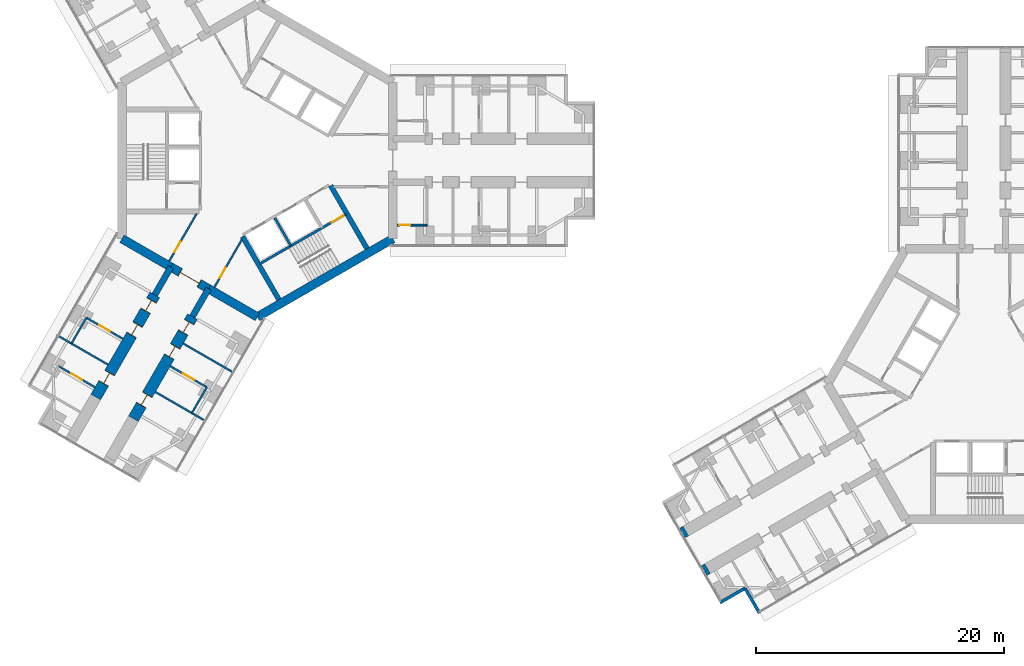
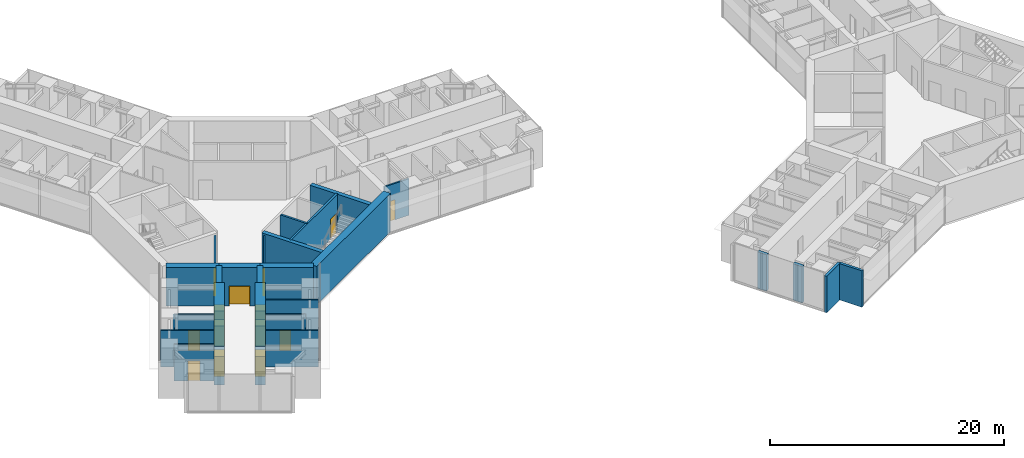
# One storey, part 16 of 24: 27 walls, 14 doors, 14 openings.
"""IFC4 building model written with IfcOpenShell, lengths in metres."""

from ifc_helpers import new_model, si_unit, direction, frame, frame_2d, origin, place, context, subcontext, project, spatial, rectangle, extrude, material, layer, layer_set, type_object, element, fill, save


model = new_model("IFC4")

# Units and contexts
model_context = context("Model", 3, precision=1e-05, world=origin(), true_north=direction((0.0, 1.0)))
body_context = subcontext(model_context, "Body", "Model", "MODEL_VIEW")
ifc_project = project(units=[si_unit("LENGTHUNIT", "METRE"), si_unit("AREAUNIT", "SQUARE_METRE"), si_unit("VOLUMEUNIT", "CUBIC_METRE"), si_unit("PLANEANGLEUNIT", "RADIAN"), si_unit("MASSUNIT", "GRAM", prefix="KILO")], contexts=[model_context])

# Site, building, storey
site_placement = place(None, origin())
site = spatial("IfcSite", under=ifc_project, at=site_placement, CompositionType="ELEMENT")
building_placement = place(site_placement, origin())
building = spatial("IfcBuilding", under=site, at=building_placement, Name="Upepo Twin Towers", CompositionType="ELEMENT")
storey_placement = place(building_placement, frame((0.0, 0.0, 64.5)))
storey = spatial("IfcBuildingStorey", under=building, at=storey_placement, Name="L15", CompositionType="ELEMENT", Elevation=64.5)

# Walls
ifc_material_1 = material(Name="Dense concrete blockwork", Category="masonry")
ifc_layer_1 = layer(ifc_material_1, 0.89990234375)
ifc_layer_set_1 = layer_set([ifc_layer_1], Name="Buttress closer 900, blockwork with fire-stopping to the curtain wall")
wall_type_1 = type_object("IfcWallType", Name="Buttress closer 900, blockwork with fire-stopping to the curtain wall", PredefinedType="PARTITIONING", material=ifc_layer_set_1)
for number, where, z_axis, x_axis, name in (
    (1, (36.252197265625, -32.865478515625, 0.0), (0.0, 0.0, 1.0), (-0.866054481515, -0.499949632511, 0.0), "T2 L15 wing B buttress closer L"),
    (2, (34.502197265625, -29.83447265625, 0.0), (0.0, 0.0, 1.0), (-0.866054481515, -0.499949632511, 0.0), "T2 L15 wing B buttress closer R"),
):
    element("IfcWall", number, at=place(storey_placement, frame(where, z_axis=z_axis, x_axis=x_axis)), inside=storey, type_object=wall_type_1, Name=name, PredefinedType="PARTITIONING", context=body_context, shape_type="SweptSolid", body=[
        extrude(rectangle(XDim=0.31005859375, YDim=0.89990234375, at=frame_2d((0.155029296875, 0.0))), origin(), (0.0, 0.0, 1.0), 3.800048828125),
    ])
ifc_material_2 = material(Name="Concrete C60/75", Category="concrete")
ifc_layer_2 = layer(ifc_material_2, 0.5)
ifc_layer_set_2 = layer_set([ifc_layer_2], Name="Concrete C60/75")
wall_type_2 = type_object("IfcWallType", Name="Buttress wall 500 RC", PredefinedType="SHEAR", material=ifc_layer_set_2)
for number, where, z_axis, x_axis, name in (
    (3, (-3.938720703125, -10.32177734375, 0.0), (0.0, 0.0, 1.0), (-0.499918158782, -0.866072649678, 0.0), "T1 wing C buttress wall L"),
    (4, (-6.9697265625, -8.57177734375, 0.0), (0.0, 0.0, 1.0), (-0.499988811324, -0.866031863473, 0.0), "T1 wing C buttress wall R"),
):
    element("IfcWall", number, at=place(storey_placement, frame(where, z_axis=z_axis, x_axis=x_axis)), inside=storey, type_object=wall_type_2, Name=name, PredefinedType="SHEAR", context=body_context, shape_type="SweptSolid", body=[
        extrude(rectangle(XDim=2.591796875, YDim=0.5, at=frame_2d((1.2958984375, 0.0))), origin(), (0.0, 0.0, 1.0), 4.0),
    ])

# Wall, openings, doors
ifc_material_3 = material(Name="Concrete C60/75", Category="concrete")
ifc_layer_3 = layer(ifc_material_3, 0.89990234375)
ifc_layer_set_3 = layer_set([ifc_layer_3], Name="Concrete C60/75")
wall_type_3 = type_object("IfcWallType", Name="Buttress wall 900 RC", PredefinedType="SHEAR", material=ifc_layer_set_3)
wall_1_placement = place(storey_placement, frame((-5.234375, -12.56640625, 0.0), z_axis=(0.0, 0.0, 1.0), x_axis=(-0.499997557548, -0.86602681393, 0.0)))
wall_1 = element("IfcWall", 5, at=wall_1_placement, inside=storey, type_object=wall_type_3, Name="T1 wing C buttress wall L part 2", PredefinedType="SHEAR", context=body_context, shape_type="SweptSolid", body=[
    extrude(rectangle(XDim=9.5, YDim=0.89990234375, at=frame_2d((4.75, 0.0))), origin(), (0.0, 0.0, 1.0), 4.0),
])
opening_1_placement = place(wall_1_placement, frame((0.5, 0.0, 0.0)))
opening_1 = element("IfcOpeningElement", 6, at=opening_1_placement, cuts=wall_1, Name="Opening D1", PredefinedType="OPENING", context=body_context, shape_type="SweptSolid", body=[
    extrude(rectangle(XDim=1.0, YDim=2.10009765625, at=frame_2d((0.5, 1.050048828125))), frame((0.0, 0.4599609375, 0.0), z_axis=(0.0, -1.0, 0.0), x_axis=(1.0, 0.0, 0.0)), (0.0, 0.0, 1.0), 0.919921875),
])
opening_2_placement = place(wall_1_placement, frame((2.75, 0.0, 0.0)))
opening_2 = element("IfcOpeningElement", 7, at=opening_2_placement, cuts=wall_1, Name="Opening D1", PredefinedType="OPENING", context=body_context, shape_type="SweptSolid", body=[
    extrude(rectangle(XDim=1.0, YDim=2.10009765625, at=frame_2d((0.5, 1.050048828125))), frame((0.0, 0.4599609375, 0.0), z_axis=(0.0, -1.0, 0.0), x_axis=(1.0, 0.0, 0.0)), (0.0, 0.0, 1.0), 0.919921875),
])
opening_3_placement = place(wall_1_placement, frame((7.25, 0.0, 0.0)))
opening_3 = element("IfcOpeningElement", 8, at=opening_3_placement, cuts=wall_1, Name="Opening D1", PredefinedType="OPENING", context=body_context, shape_type="SweptSolid", body=[
    extrude(rectangle(XDim=1.0, YDim=2.10009765625, at=frame_2d((0.5, 1.050048828125))), frame((0.0, 0.4599609375, 0.0), z_axis=(0.0, -1.0, 0.0), x_axis=(1.0, 0.0, 0.0)), (0.0, 0.0, 1.0), 0.919921875),
])
ifc_material_4 = material(Name="Timber doorset", Category="wood")
door_type_1 = type_object("IfcDoorType", Name="Room door 1000 FD30", OperationType="SINGLE_SWING_LEFT", PredefinedType="DOOR", material=ifc_material_4)
door_1_placement = place(opening_1_placement, origin())
door_1 = element("IfcDoor", 9, at=door_1_placement, inside=storey, type_object=door_type_1, Name="T1 L15 tutorial room door", OperationType="SINGLE_SWING_LEFT", OverallHeight=2.10009765625, OverallWidth=1.0, PredefinedType="DOOR", context=body_context, shape_type="SweptSolid", body=[
    extrude(rectangle(XDim=0.92, YDim=2.06009765625, at=frame_2d((0.5, 1.030029296875))), frame((0.0, 0.02490234375, 0.0), z_axis=(0.0, -1.0, 0.0), x_axis=(1.0, 0.0, 0.0)), (0.0, 0.0, 1.0), 0.050048828125),
    extrude(rectangle(XDim=0.04, YDim=2.10009765625, at=frame_2d((0.02001953125, 1.050048828125))), frame((0.0, 0.44970703125, 0.0), z_axis=(0.0, -1.0, 0.0), x_axis=(1.0, 0.0, 0.0)), (0.0, 0.0, 1.0), 0.8994140625),
    extrude(rectangle(XDim=0.04, YDim=2.10009765625, at=frame_2d((0.97998046875, 1.050048828125))), frame((0.0, 0.44970703125, 0.0), z_axis=(0.0, -1.0, 0.0), x_axis=(1.0, 0.0, 0.0)), (0.0, 0.0, 1.0), 0.8994140625),
    extrude(rectangle(XDim=0.92, YDim=0.04, at=frame_2d((0.5, 2.080078125))), frame((0.0, 0.44970703125, 0.0), z_axis=(0.0, -1.0, 0.0), x_axis=(1.0, 0.0, 0.0)), (0.0, 0.0, 1.0), 0.8994140625),
])
fill(opening_1, door_1)
door_2_placement = place(opening_2_placement, origin())
door_2 = element("IfcDoor", 10, at=door_2_placement, inside=storey, type_object=door_type_1, Name="T1 L15 computing laboratory door", OperationType="SINGLE_SWING_LEFT", OverallHeight=2.10009765625, OverallWidth=1.0, PredefinedType="DOOR", context=body_context, shape_type="SweptSolid", body=[
    extrude(rectangle(XDim=0.92, YDim=2.06009765625, at=frame_2d((0.5, 1.030029296875))), frame((0.0, 0.02490234375, 0.0), z_axis=(0.0, -1.0, 0.0), x_axis=(1.0, 0.0, 0.0)), (0.0, 0.0, 1.0), 0.050048828125),
    extrude(rectangle(XDim=0.04, YDim=2.10009765625, at=frame_2d((0.02001953125, 1.050048828125))), frame((0.0, 0.44970703125, 0.0), z_axis=(0.0, -1.0, 0.0), x_axis=(1.0, 0.0, 0.0)), (0.0, 0.0, 1.0), 0.8994140625),
    extrude(rectangle(XDim=0.04, YDim=2.10009765625, at=frame_2d((0.97998046875, 1.050048828125))), frame((0.0, 0.44970703125, 0.0), z_axis=(0.0, -1.0, 0.0), x_axis=(1.0, 0.0, 0.0)), (0.0, 0.0, 1.0), 0.8994140625),
    extrude(rectangle(XDim=0.92, YDim=0.04, at=frame_2d((0.5, 2.080078125))), frame((0.0, 0.44970703125, 0.0), z_axis=(0.0, -1.0, 0.0), x_axis=(1.0, 0.0, 0.0)), (0.0, 0.0, 1.0), 0.8994140625),
])
fill(opening_2, door_2)
door_3_placement = place(opening_3_placement, origin())
door_3 = element("IfcDoor", 11, at=door_3_placement, inside=storey, type_object=door_type_1, Name="T1 L15 seminar room door", OperationType="SINGLE_SWING_RIGHT", OverallHeight=2.10009765625, OverallWidth=1.0, PredefinedType="DOOR", context=body_context, shape_type="SweptSolid", body=[
    extrude(rectangle(XDim=0.92, YDim=2.06009765625, at=frame_2d((0.5, 1.030029296875))), frame((0.0, 0.02490234375, 0.0), z_axis=(0.0, -1.0, 0.0), x_axis=(1.0, 0.0, 0.0)), (0.0, 0.0, 1.0), 0.050048828125),
    extrude(rectangle(XDim=0.04, YDim=2.10009765625, at=frame_2d((0.02001953125, 1.050048828125))), frame((0.0, 0.44970703125, 0.0), z_axis=(0.0, -1.0, 0.0), x_axis=(1.0, 0.0, 0.0)), (0.0, 0.0, 1.0), 0.8994140625),
    extrude(rectangle(XDim=0.04, YDim=2.10009765625, at=frame_2d((0.97998046875, 1.050048828125))), frame((0.0, 0.44970703125, 0.0), z_axis=(0.0, -1.0, 0.0), x_axis=(1.0, 0.0, 0.0)), (0.0, 0.0, 1.0), 0.8994140625),
    extrude(rectangle(XDim=0.92, YDim=0.04, at=frame_2d((0.5, 2.080078125))), frame((0.0, 0.44970703125, 0.0), z_axis=(0.0, -1.0, 0.0), x_axis=(1.0, 0.0, 0.0)), (0.0, 0.0, 1.0), 0.8994140625),
])
fill(opening_3, door_3)

wall_2_placement = place(storey_placement, frame((-8.265625, -10.81640625, 0.0), z_axis=(0.0, 0.0, 1.0), x_axis=(-0.499997557548, -0.86602681393, 0.0)))
wall_2 = element("IfcWall", 12, at=wall_2_placement, inside=storey, type_object=wall_type_3, Name="T1 wing C buttress wall R part 2", PredefinedType="SHEAR", context=body_context, shape_type="SweptSolid", body=[
    extrude(rectangle(XDim=9.5, YDim=0.89990234375, at=frame_2d((4.75, 0.0))), origin(), (0.0, 0.0, 1.0), 4.0),
])
opening_4_placement = place(wall_2_placement, frame((0.5, 0.0, 0.0)))
opening_4 = element("IfcOpeningElement", 13, at=opening_4_placement, cuts=wall_2, Name="Opening D1", PredefinedType="OPENING", context=body_context, shape_type="SweptSolid", body=[
    extrude(rectangle(XDim=1.0, YDim=2.10009765625, at=frame_2d((0.5, 1.050048828125))), frame((0.0, 0.4599609375, 0.0), z_axis=(0.0, -1.0, 0.0), x_axis=(1.0, 0.0, 0.0)), (0.0, 0.0, 1.0), 0.919921875),
])
opening_5_placement = place(wall_2_placement, frame((2.75, 0.0, 0.0)))
opening_5 = element("IfcOpeningElement", 14, at=opening_5_placement, cuts=wall_2, Name="Opening D1", PredefinedType="OPENING", context=body_context, shape_type="SweptSolid", body=[
    extrude(rectangle(XDim=1.0, YDim=2.10009765625, at=frame_2d((0.5, 1.050048828125))), frame((0.0, 0.4599609375, 0.0), z_axis=(0.0, -1.0, 0.0), x_axis=(1.0, 0.0, 0.0)), (0.0, 0.0, 1.0), 0.919921875),
])
opening_6_placement = place(wall_2_placement, frame((7.25, 0.0, 0.0)))
opening_6 = element("IfcOpeningElement", 15, at=opening_6_placement, cuts=wall_2, Name="Opening D1", PredefinedType="OPENING", context=body_context, shape_type="SweptSolid", body=[
    extrude(rectangle(XDim=1.0, YDim=2.10009765625, at=frame_2d((0.5, 1.050048828125))), frame((0.0, 0.4599609375, 0.0), z_axis=(0.0, -1.0, 0.0), x_axis=(1.0, 0.0, 0.0)), (0.0, 0.0, 1.0), 0.919921875),
])
door_4_placement = place(opening_4_placement, origin())
door_4 = element("IfcDoor", 16, at=door_4_placement, inside=storey, type_object=door_type_1, Name="T1 L15 teaching laboratory door", OperationType="SINGLE_SWING_LEFT", OverallHeight=2.10009765625, OverallWidth=1.0, PredefinedType="DOOR", context=body_context, shape_type="SweptSolid", body=[
    extrude(rectangle(XDim=0.92, YDim=2.06009765625, at=frame_2d((0.5, 1.030029296875))), frame((0.0, 0.02490234375, 0.0), z_axis=(0.0, -1.0, 0.0), x_axis=(1.0, 0.0, 0.0)), (0.0, 0.0, 1.0), 0.050048828125),
    extrude(rectangle(XDim=0.04, YDim=2.10009765625, at=frame_2d((0.02001953125, 1.050048828125))), frame((0.0, 0.44970703125, 0.0), z_axis=(0.0, -1.0, 0.0), x_axis=(1.0, 0.0, 0.0)), (0.0, 0.0, 1.0), 0.8994140625),
    extrude(rectangle(XDim=0.04, YDim=2.10009765625, at=frame_2d((0.97998046875, 1.050048828125))), frame((0.0, 0.44970703125, 0.0), z_axis=(0.0, -1.0, 0.0), x_axis=(1.0, 0.0, 0.0)), (0.0, 0.0, 1.0), 0.8994140625),
    extrude(rectangle(XDim=0.92, YDim=0.04, at=frame_2d((0.5, 2.080078125))), frame((0.0, 0.44970703125, 0.0), z_axis=(0.0, -1.0, 0.0), x_axis=(1.0, 0.0, 0.0)), (0.0, 0.0, 1.0), 0.8994140625),
])
fill(opening_4, door_4)
door_5_placement = place(opening_5_placement, origin())
door_5 = element("IfcDoor", 17, at=door_5_placement, inside=storey, type_object=door_type_1, Name="T1 L15 teaching laboratory door", OperationType="SINGLE_SWING_LEFT", OverallHeight=2.10009765625, OverallWidth=1.0, PredefinedType="DOOR", context=body_context, shape_type="SweptSolid", body=[
    extrude(rectangle(XDim=0.92, YDim=2.06009765625, at=frame_2d((0.5, 1.030029296875))), frame((0.0, 0.02490234375, 0.0), z_axis=(0.0, -1.0, 0.0), x_axis=(1.0, 0.0, 0.0)), (0.0, 0.0, 1.0), 0.050048828125),
    extrude(rectangle(XDim=0.04, YDim=2.10009765625, at=frame_2d((0.02001953125, 1.050048828125))), frame((0.0, 0.44970703125, 0.0), z_axis=(0.0, -1.0, 0.0), x_axis=(1.0, 0.0, 0.0)), (0.0, 0.0, 1.0), 0.8994140625),
    extrude(rectangle(XDim=0.04, YDim=2.10009765625, at=frame_2d((0.97998046875, 1.050048828125))), frame((0.0, 0.44970703125, 0.0), z_axis=(0.0, -1.0, 0.0), x_axis=(1.0, 0.0, 0.0)), (0.0, 0.0, 1.0), 0.8994140625),
    extrude(rectangle(XDim=0.92, YDim=0.04, at=frame_2d((0.5, 2.080078125))), frame((0.0, 0.44970703125, 0.0), z_axis=(0.0, -1.0, 0.0), x_axis=(1.0, 0.0, 0.0)), (0.0, 0.0, 1.0), 0.8994140625),
])
fill(opening_5, door_5)
door_6_placement = place(opening_6_placement, origin())
door_6 = element("IfcDoor", 18, at=door_6_placement, inside=storey, type_object=door_type_1, Name="T1 L15 staff office door", OperationType="SINGLE_SWING_RIGHT", OverallHeight=2.10009765625, OverallWidth=1.0, PredefinedType="DOOR", context=body_context, shape_type="SweptSolid", body=[
    extrude(rectangle(XDim=0.92, YDim=2.06009765625, at=frame_2d((0.5, 1.030029296875))), frame((0.0, 0.02490234375, 0.0), z_axis=(0.0, -1.0, 0.0), x_axis=(1.0, 0.0, 0.0)), (0.0, 0.0, 1.0), 0.050048828125),
    extrude(rectangle(XDim=0.04, YDim=2.10009765625, at=frame_2d((0.02001953125, 1.050048828125))), frame((0.0, 0.44970703125, 0.0), z_axis=(0.0, -1.0, 0.0), x_axis=(1.0, 0.0, 0.0)), (0.0, 0.0, 1.0), 0.8994140625),
    extrude(rectangle(XDim=0.04, YDim=2.10009765625, at=frame_2d((0.97998046875, 1.050048828125))), frame((0.0, 0.44970703125, 0.0), z_axis=(0.0, -1.0, 0.0), x_axis=(1.0, 0.0, 0.0)), (0.0, 0.0, 1.0), 0.8994140625),
    extrude(rectangle(XDim=0.92, YDim=0.04, at=frame_2d((0.5, 2.080078125))), frame((0.0, 0.44970703125, 0.0), z_axis=(0.0, -1.0, 0.0), x_axis=(1.0, 0.0, 0.0)), (0.0, 0.0, 1.0), 0.8994140625),
])
fill(opening_6, door_6)

# Wall
ifc_material_5 = material(Name="Concrete C60/75", Category="concrete")
ifc_layer_4 = layer(ifc_material_5, 0.699951171875)
ifc_layer_set_4 = layer_set([ifc_layer_4], Name="Concrete C60/75")
wall_type_4 = type_object("IfcWallType", Name="Core wall 700 RC", PredefinedType="SHEAR", material=ifc_layer_set_4)
wall_3_placement = place(storey_placement, frame((-10.908447265625, -6.2978515625, 0.0), z_axis=(0.0, 0.0, 1.0), x_axis=(0.866034513004, -0.499984222037, 0.0)))
element("IfcWall", 19, at=wall_3_placement, inside=storey, type_object=wall_type_4, Name="T1 core wall 240 R", PredefinedType="SHEAR", context=body_context, shape_type="SweptSolid", body=[
    extrude(rectangle(XDim=4.548095703125, YDim=0.699951171875, at=frame_2d((2.27392578125, 0.0))), origin(), (0.0, 0.0, 1.0), 4.0),
])

# Wall, opening, door
wall_4_placement = place(storey_placement, frame((-6.9697265625, -8.57177734375, 0.0), z_axis=(0.0, 0.0, 1.0), x_axis=(0.866019471182, -0.500010275428, 0.0)))
wall_4 = element("IfcWall", 20, at=wall_4_placement, inside=storey, type_object=wall_type_4, Name="T1 core wall 240", PredefinedType="SHEAR", context=body_context, shape_type="SweptSolid", body=[
    extrude(rectangle(XDim=3.5, YDim=0.699951171875, at=frame_2d((1.75, 0.0))), origin(), (0.0, 0.0, 1.0), 4.0),
])
opening_7_placement = place(wall_4_placement, frame((0.85009765625, 0.0, 0.0)))
opening_7 = element("IfcOpeningElement", 21, at=opening_7_placement, cuts=wall_4, Name="Opening D2", PredefinedType="OPENING", context=body_context, shape_type="SweptSolid", body=[
    extrude(rectangle(XDim=1.800048828125, YDim=2.10009765625, at=frame_2d((0.89990234375, 1.050048828125))), frame((0.0, 0.35986328125, 0.0), z_axis=(0.0, -1.0, 0.0), x_axis=(1.0, 0.0, 0.0)), (0.0, 0.0, 1.0), 0.719970703125),
])
ifc_material_6 = material(Name="Timber doorset", Category="wood")
door_type_2 = type_object("IfcDoorType", Name="Corridor double door 1800 FD60", OperationType="DOUBLE_DOOR_DOUBLE_SWING", PredefinedType="DOOR", material=ifc_material_6)
door_7_placement = place(opening_7_placement, origin())
door_7 = element("IfcDoor", 22, at=door_7_placement, inside=storey, type_object=door_type_2, Name="T1 L15 wing C corridor door", OperationType="DOUBLE_DOOR_DOUBLE_SWING", OverallHeight=2.10009765625, OverallWidth=1.800048828125, PredefinedType="DOOR", context=body_context, shape_type="SweptSolid", body=[
    extrude(rectangle(XDim=1.720048828125, YDim=2.06009765625, at=frame_2d((0.89990234375, 1.030029296875))), frame((0.0, 0.02490234375, 0.0), z_axis=(0.0, -1.0, 0.0), x_axis=(1.0, 0.0, 0.0)), (0.0, 0.0, 1.0), 0.050048828125),
    extrude(rectangle(XDim=0.04, YDim=2.10009765625, at=frame_2d((0.02001953125, 1.050048828125))), frame((0.0, 0.349609375, 0.0), z_axis=(0.0, -1.0, 0.0), x_axis=(1.0, 0.0, 0.0)), (0.0, 0.0, 1.0), 0.699462890625),
    extrude(rectangle(XDim=0.04, YDim=2.10009765625, at=frame_2d((1.780029296875, 1.050048828125))), frame((0.0, 0.349609375, 0.0), z_axis=(0.0, -1.0, 0.0), x_axis=(1.0, 0.0, 0.0)), (0.0, 0.0, 1.0), 0.699462890625),
    extrude(rectangle(XDim=1.720048828125, YDim=0.04, at=frame_2d((0.89990234375, 2.080078125))), frame((0.0, 0.349609375, 0.0), z_axis=(0.0, -1.0, 0.0), x_axis=(1.0, 0.0, 0.0)), (0.0, 0.0, 1.0), 0.699462890625),
])
fill(opening_7, door_7)

# Walls
wall_5_placement = place(storey_placement, frame((-3.938720703125, -10.32177734375, 0.0), z_axis=(0.0, 0.0, 1.0), x_axis=(0.866011268655, -0.500024481964, 0.0)))
element("IfcWall", 23, at=wall_5_placement, inside=storey, type_object=wall_type_4, Name="T1 core wall 240 L", PredefinedType="SHEAR", context=body_context, shape_type="SweptSolid", body=[
    extrude(rectangle(XDim=4.548095703125, YDim=0.699951171875, at=frame_2d((2.27392578125, 0.0))), origin(), (0.0, 0.0, 1.0), 4.0),
])
wall_6_placement = place(storey_placement, frame((0.0, -12.595947265625, 0.0), z_axis=(0.0, 0.0, 1.0), x_axis=(0.866021940709, 0.500005998175, 0.0)))
element("IfcWall", 24, at=wall_6_placement, inside=storey, type_object=wall_type_4, Name="T1 core wall 300", PredefinedType="SHEAR", context=body_context, shape_type="SweptSolid", body=[
    extrude(rectangle(XDim=12.595947265625, YDim=0.699951171875, at=frame_2d((6.2978515625, 0.0))), origin(), (0.0, 0.0, 1.0), 4.0),
])
ifc_material_7 = material(Name="Blockwork with anodised aluminium cladding", Category="masonry")
ifc_layer_5 = layer(ifc_material_7, 0.25)
ifc_layer_set_5 = layer_set([ifc_layer_5], Name="Notch cladding wall 250, pale metal")
wall_type_5 = type_object("IfcWallType", Name="Notch cladding wall 250, pale metal", PredefinedType="STANDARD", material=ifc_layer_set_5)
for number, where, z_axis, x_axis, name in (
    (25, (40.4326171875, -36.456298828125, 0.0), (0.0, 0.0, 1.0), (-0.500046648681, 0.865998469481, 0.0), "T2 L15 wing B notch wall L1"),
    (26, (39.27001953125, -34.44287109375, 0.0), (0.0, 0.0, 1.0), (-0.865998469481, -0.500046648681, 0.0), "T2 L15 wing B notch wall L2"),
):
    element("IfcWall", number, at=place(storey_placement, frame(where, z_axis=z_axis, x_axis=x_axis)), inside=storey, type_object=wall_type_5, Name=name, PredefinedType="STANDARD", context=body_context, shape_type="SweptSolid", body=[
        extrude(rectangle(XDim=2.324951171875, YDim=0.25, at=frame_2d((1.16259765625, 0.0))), origin(), (0.0, 0.0, 1.0), 3.800048828125),
    ])
ifc_material_8 = material(Name="Concrete C40/50", Category="concrete")
ifc_layer_6 = layer(ifc_material_8, 0.199951171875)
ifc_layer_set_6 = layer_set([ifc_layer_6], Name="Concrete C40/50")
wall_type_6 = type_object("IfcWallType", Name="Shaft wall 200 RC", PredefinedType="SHEAR", material=ifc_layer_set_6)
wall_7_placement = place(storey_placement, frame((1.3974609375, -4.620361328125, 0.0), z_axis=(0.0, 0.0, 1.0), x_axis=(0.499936506574, -0.866062058628, 0.0)))
element("IfcWall", 27, at=wall_7_placement, inside=storey, type_object=wall_type_6, Name="T1 core W300 shaft divider", PredefinedType="SHEAR", context=body_context, shape_type="SweptSolid", body=[
    extrude(rectangle(XDim=2.599853515625, YDim=0.199951171875, at=frame_2d((1.2998046875, 0.0))), origin(), (0.0, 0.0, 1.0), 4.0),
])

# Wall, opening, door
wall_8_placement = place(storey_placement, frame((0.185791015625, -8.322021484375, 0.0), z_axis=(0.0, 0.0, 1.0), x_axis=(0.866026010844, 0.49999894854, 0.0)))
wall_8 = element("IfcWall", 28, at=wall_8_placement, inside=storey, type_object=wall_type_6, Name="T1 core W300 stair wall", PredefinedType="SHEAR", context=body_context, shape_type="SweptSolid", body=[
    extrude(rectangle(XDim=8.0, YDim=0.199951171875, at=frame_2d((4.0, 0.0))), origin(), (0.0, 0.0, 1.0), 4.0),
])
opening_8_placement = place(wall_8_placement, frame((6.699951171875, 0.0, 0.0)))
opening_8 = element("IfcOpeningElement", 29, at=opening_8_placement, cuts=wall_8, Name="Opening D3", PredefinedType="OPENING", context=body_context, shape_type="SweptSolid", body=[
    extrude(rectangle(XDim=1.10009765625, YDim=2.10009765625, at=frame_2d((0.550048828125, 1.050048828125))), frame((0.0, 0.10986328125, 0.0), z_axis=(0.0, -1.0, 0.0), x_axis=(1.0, 0.0, 0.0)), (0.0, 0.0, 1.0), 0.219970703125),
])
ifc_material_9 = material(Name="Timber doorset", Category="wood")
door_type_3 = type_object("IfcDoorType", Name="Stair door 1100 FD60", OperationType="SINGLE_SWING_LEFT", PredefinedType="DOOR", material=ifc_material_9)
door_8_placement = place(opening_8_placement, origin())
door_8 = element("IfcDoor", 30, at=door_8_placement, inside=storey, type_object=door_type_3, Name="T1 L15 stair door", OperationType="SINGLE_SWING_RIGHT", OverallHeight=2.10009765625, OverallWidth=1.10009765625, PredefinedType="DOOR", context=body_context, shape_type="SweptSolid", body=[
    extrude(rectangle(XDim=1.10009765625, YDim=2.10009765625, at=frame_2d((0.550048828125, 1.050048828125))), frame((0.0, 0.02490234375, 0.0), z_axis=(0.0, -1.0, 0.0), x_axis=(1.0, 0.0, 0.0)), (0.0, 0.0, 1.0), 0.050048828125),
])
fill(opening_8, door_8)

# Walls
ifc_material_10 = material(Name="Concrete C40/50", Category="concrete")
ifc_layer_7 = layer(ifc_material_10, 0.39990234375)
ifc_layer_set_7 = layer_set([ifc_layer_7], Name="Concrete C40/50")
wall_type_7 = type_object("IfcWallType", Name="Shaft wall 400 RC", PredefinedType="SHEAR", material=ifc_layer_set_7)
for number, where, z_axis, x_axis, name in (
    (31, (5.900634765625, -2.020263671875, 0.0), (0.0, 0.0, 1.0), (0.500002627198, -0.866023886965, 0.0), "T1 core W300 side wall N"),
    (32, (-1.20068359375, -6.120361328125, 0.0), (0.0, 0.0, 1.0), (0.500002627198, -0.866023886965, 0.0), "T1 core W300 side wall S"),
):
    element("IfcWall", number, at=place(storey_placement, frame(where, z_axis=z_axis, x_axis=x_axis)), inside=storey, type_object=wall_type_7, Name=name, PredefinedType="SHEAR", context=body_context, shape_type="SweptSolid", body=[
        extrude(rectangle(XDim=5.8583984375, YDim=0.39990234375, at=frame_2d((2.92919921875, 0.0))), origin(), (0.0, 0.0, 1.0), 4.0),
    ])

# Wall, opening, door
ifc_material_11 = material(Name="Gypsum board on steel studs", Category="steel")
ifc_layer_8 = layer(ifc_material_11, 0.14990234375)
ifc_layer_set_8 = layer_set([ifc_layer_8], Name="Teaching partition 150 acoustic")
wall_type_8 = type_object("IfcWallType", Name="Teaching partition 150 acoustic", PredefinedType="PARTITIONING", material=ifc_layer_set_8)
wall_9_placement = place(storey_placement, frame((11.258056640625, -5.199951171875, 0.0), z_axis=(0.0, 0.0, 1.0), x_axis=(1.0, 0.0, 0.0)))
wall_9 = element("IfcWall", 33, at=wall_9_placement, inside=storey, type_object=wall_type_8, Name="T1 WC bay partition AR at 11.26", PredefinedType="PARTITIONING", context=body_context, shape_type="SweptSolid", body=[
    extrude(rectangle(XDim=2.39990234375, YDim=0.14990234375, at=frame_2d((1.199951171875, 0.0))), origin(), (0.0, 0.0, 1.0), 3.800048828125),
])
opening_9_placement = place(wall_9_placement, frame((0.14990234375, 0.0, 0.0)))
opening_9 = element("IfcOpeningElement", 34, at=opening_9_placement, cuts=wall_9, Name="Opening D14", PredefinedType="OPENING", context=body_context, shape_type="SweptSolid", body=[
    extrude(rectangle(XDim=0.89990234375, YDim=2.10009765625, at=frame_2d((0.449951171875, 1.050048828125))), frame((0.0, 0.0849609375, 0.0), z_axis=(0.0, -1.0, 0.0), x_axis=(1.0, 0.0, 0.0)), (0.0, 0.0, 1.0), 0.169921875),
])
ifc_material_12 = material(Name="Timber doorset", Category="wood")
door_type_4 = type_object("IfcDoorType", Name="Office door 900 FD30", OperationType="SINGLE_SWING_LEFT", PredefinedType="DOOR", material=ifc_material_12)
door_9_placement = place(opening_9_placement, origin())
door_9 = element("IfcDoor", 35, at=door_9_placement, inside=storey, type_object=door_type_4, Name="T1 L15 WC bay inner room door", OperationType="SINGLE_SWING_LEFT", OverallHeight=2.10009765625, OverallWidth=0.89990234375, PredefinedType="DOOR", context=body_context, shape_type="SweptSolid", body=[
    extrude(rectangle(XDim=0.89990234375, YDim=2.10009765625, at=frame_2d((0.449951171875, 1.050048828125))), frame((0.0, 0.02490234375, 0.0), z_axis=(0.0, -1.0, 0.0), x_axis=(1.0, 0.0, 0.0)), (0.0, 0.0, 1.0), 0.050048828125),
])
fill(opening_9, door_9)

# Walls
for number, where, z_axis, x_axis, name in (
    (36, (-5.9697265625, -14.739990234375, 0.0), (0.0, 0.0, 1.0), (0.866035472144, -0.499982560684, 0.0), "T1 partition CL at 15.75"),
    (37, (-8.2197265625, -18.636962890625, 0.0), (0.0, 0.0, 1.0), (0.866012237902, -0.500022803284, 0.0), "T1 partition CL at 20.25"),
):
    element("IfcWall", number, at=place(storey_placement, frame(where, z_axis=z_axis, x_axis=x_axis)), inside=storey, type_object=wall_type_8, Name=name, PredefinedType="PARTITIONING", context=body_context, shape_type="SweptSolid", body=[
        extrude(rectangle(XDim=4.550048828125, YDim=0.14990234375, at=frame_2d((2.27490234375, 0.0))), origin(), (0.0, 0.0, 1.0), 3.800048828125),
    ])
wall_10_placement = place(storey_placement, frame((-4.0751953125, -18.258544921875, 0.0), z_axis=(0.0, 0.0, 1.0), x_axis=(-0.500001309137, -0.866024647952, 0.0)))
element("IfcWall", 38, at=wall_10_placement, inside=storey, type_object=wall_type_8, Name="T1 inner room partition CL at 17.85", PredefinedType="PARTITIONING", context=body_context, shape_type="SweptSolid", body=[
    extrude(rectangle(XDim=2.39990234375, YDim=0.14990234375, at=frame_2d((1.199951171875, 0.0))), origin(), (0.0, 0.0, 1.0), 3.800048828125),
])

# Wall, opening, door
wall_11_placement = place(storey_placement, frame((-7.019775390625, -16.55859375, 0.0), z_axis=(0.0, 0.0, 1.0), x_axis=(0.866038511948, -0.499977295307, 0.0)))
wall_11 = element("IfcWall", 39, at=wall_11_placement, inside=storey, type_object=wall_type_8, Name="T1 inner room partition CL end at 17.85", PredefinedType="PARTITIONING", context=body_context, shape_type="SweptSolid", body=[
    extrude(rectangle(XDim=3.400146484375, YDim=0.14990234375, at=frame_2d((1.7001953125, 0.0))), origin(), (0.0, 0.0, 1.0), 3.800048828125),
])
opening_10_placement = place(wall_11_placement, frame((1.199951171875, 0.0, 0.0)))
opening_10 = element("IfcOpeningElement", 40, at=opening_10_placement, cuts=wall_11, Name="Opening D1", PredefinedType="OPENING", context=body_context, shape_type="SweptSolid", body=[
    extrude(rectangle(XDim=1.0, YDim=2.10009765625, at=frame_2d((0.5, 1.050048828125))), frame((0.0, 0.0849609375, 0.0), z_axis=(0.0, -1.0, 0.0), x_axis=(1.0, 0.0, 0.0)), (0.0, 0.0, 1.0), 0.169921875),
])
door_10_placement = place(opening_10_placement, origin())
door_10 = element("IfcDoor", 41, at=door_10_placement, inside=storey, type_object=door_type_1, Name="T1 L15 inner room door", OperationType="SINGLE_SWING_LEFT", OverallHeight=2.10009765625, OverallWidth=1.0, PredefinedType="DOOR", context=body_context, shape_type="SweptSolid", body=[
    extrude(rectangle(XDim=1.0, YDim=2.10009765625, at=frame_2d((0.5, 1.050048828125))), frame((0.0, 0.02490234375, 0.0), z_axis=(0.0, -1.0, 0.0), x_axis=(1.0, 0.0, 0.0)), (0.0, 0.0, 1.0), 0.050048828125),
])
fill(opening_10, door_10)

# Walls
wall_12_placement = place(storey_placement, frame((-12.0302734375, -16.43701171875, 0.0), z_axis=(0.0, 0.0, 1.0), x_axis=(-0.866035472144, 0.499982560684, 0.0)))
element("IfcWall", 42, at=wall_12_placement, inside=storey, type_object=wall_type_8, Name="T1 partition CR at 20.25", PredefinedType="PARTITIONING", context=body_context, shape_type="SweptSolid", body=[
    extrude(rectangle(XDim=4.550048828125, YDim=0.14990234375, at=frame_2d((2.27490234375, 0.0))), origin(), (0.0, 0.0, 1.0), 3.800048828125),
])
wall_13_placement = place(storey_placement, frame((-13.774658203125, -12.658447265625, 0.0), z_axis=(0.0, 0.0, 1.0), x_axis=(-0.500033551112, -0.866006032174, 0.0)))
element("IfcWall", 43, at=wall_13_placement, inside=storey, type_object=wall_type_8, Name="T1 inner room partition CR at 17.85", PredefinedType="PARTITIONING", context=body_context, shape_type="SweptSolid", body=[
    extrude(rectangle(XDim=2.400146484375, YDim=0.14990234375, at=frame_2d((1.2001953125, 0.0))), origin(), (0.0, 0.0, 1.0), 3.800048828125),
])

# Wall, opening, door
wall_14_placement = place(storey_placement, frame((-10.830322265625, -14.358642578125, 0.0), z_axis=(0.0, 0.0, 1.0), x_axis=(-0.865989465428, 0.500062241894, 0.0)))
wall_14 = element("IfcWall", 44, at=wall_14_placement, inside=storey, type_object=wall_type_8, Name="T1 inner room partition CR end at 17.85", PredefinedType="PARTITIONING", context=body_context, shape_type="SweptSolid", body=[
    extrude(rectangle(XDim=3.39990234375, YDim=0.14990234375, at=frame_2d((1.699951171875, 0.0))), origin(), (0.0, 0.0, 1.0), 3.800048828125),
])
opening_11_placement = place(wall_14_placement, frame((1.199951171875, 0.0, 0.0)))
opening_11 = element("IfcOpeningElement", 45, at=opening_11_placement, cuts=wall_14, Name="Opening D1", PredefinedType="OPENING", context=body_context, shape_type="SweptSolid", body=[
    extrude(rectangle(XDim=1.0, YDim=2.10009765625, at=frame_2d((0.5, 1.050048828125))), frame((0.0, 0.0849609375, 0.0), z_axis=(0.0, -1.0, 0.0), x_axis=(1.0, 0.0, 0.0)), (0.0, 0.0, 1.0), 0.169921875),
])
door_11_placement = place(opening_11_placement, origin())
door_11 = element("IfcDoor", 46, at=door_11_placement, inside=storey, type_object=door_type_1, Name="T1 L15 inner room door", OperationType="SINGLE_SWING_LEFT", OverallHeight=2.10009765625, OverallWidth=1.0, PredefinedType="DOOR", context=body_context, shape_type="SweptSolid", body=[
    extrude(rectangle(XDim=1.0, YDim=2.10009765625, at=frame_2d((0.5, 1.050048828125))), frame((0.0, 0.02490234375, 0.0), z_axis=(0.0, -1.0, 0.0), x_axis=(1.0, 0.0, 0.0)), (0.0, 0.0, 1.0), 0.050048828125),
])
fill(opening_11, door_11)

wall_15_placement = place(storey_placement, frame((-13.080322265625, -18.255615234375, 0.0), z_axis=(0.0, 0.0, 1.0), x_axis=(-0.866020560687, 0.500008388397, 0.0)))
wall_15 = element("IfcWall", 47, at=wall_15_placement, inside=storey, type_object=wall_type_8, Name="T1 inner room partition CR end at 22.35", PredefinedType="PARTITIONING", context=body_context, shape_type="SweptSolid", body=[
    extrude(rectangle(XDim=3.39990234375, YDim=0.14990234375, at=frame_2d((1.699951171875, 0.0))), origin(), (0.0, 0.0, 1.0), 3.800048828125),
])
opening_12_placement = place(wall_15_placement, frame((1.199951171875, 0.0, 0.0)))
opening_12 = element("IfcOpeningElement", 48, at=opening_12_placement, cuts=wall_15, Name="Opening D1", PredefinedType="OPENING", context=body_context, shape_type="SweptSolid", body=[
    extrude(rectangle(XDim=1.0, YDim=2.10009765625, at=frame_2d((0.5, 1.050048828125))), frame((0.0, 0.0849609375, 0.0), z_axis=(0.0, -1.0, 0.0), x_axis=(1.0, 0.0, 0.0)), (0.0, 0.0, 1.0), 0.169921875),
])
door_12_placement = place(opening_12_placement, origin())
door_12 = element("IfcDoor", 49, at=door_12_placement, inside=storey, type_object=door_type_1, Name="T1 L15 inner room door", OperationType="SINGLE_SWING_LEFT", OverallHeight=2.10009765625, OverallWidth=1.0, PredefinedType="DOOR", context=body_context, shape_type="SweptSolid", body=[
    extrude(rectangle(XDim=1.0, YDim=2.10009765625, at=frame_2d((0.5, 1.050048828125))), frame((0.0, 0.02490234375, 0.0), z_axis=(0.0, -1.0, 0.0), x_axis=(1.0, 0.0, 0.0)), (0.0, 0.0, 1.0), 0.050048828125),
])
fill(opening_12, door_12)

wall_16_placement = place(storey_placement, frame((-1.252685546875, -6.36962890625, 0.0), z_axis=(0.0, 0.0, 1.0), x_axis=(-0.500007369519, -0.866021148949, 0.0)))
wall_16 = element("IfcWall", 50, at=wall_16_placement, inside=storey, type_object=wall_type_8, Name="T1 core room partition 1", PredefinedType="PARTITIONING", context=body_context, shape_type="SweptSolid", body=[
    extrude(rectangle(XDim=4.42578125, YDim=0.14990234375, at=frame_2d((2.212890625, 0.0))), origin(), (0.0, 0.0, 1.0), 3.800048828125),
])
opening_13_placement = place(wall_16_placement, frame((2.597900390625, 0.0, 0.0)))
opening_13 = element("IfcOpeningElement", 51, at=opening_13_placement, cuts=wall_16, Name="Opening D1", PredefinedType="OPENING", context=body_context, shape_type="SweptSolid", body=[
    extrude(rectangle(XDim=1.0, YDim=2.10009765625, at=frame_2d((0.5, 1.050048828125))), frame((0.0, 0.0849609375, 0.0), z_axis=(0.0, -1.0, 0.0), x_axis=(1.0, 0.0, 0.0)), (0.0, 0.0, 1.0), 0.169921875),
])
door_13_placement = place(opening_13_placement, origin())
door_13 = element("IfcDoor", 52, at=door_13_placement, inside=storey, type_object=door_type_1, Name="T1 L15 core room door K2", OperationType="SINGLE_SWING_RIGHT", OverallHeight=2.10009765625, OverallWidth=1.0, PredefinedType="DOOR", context=body_context, shape_type="SweptSolid", body=[
    extrude(rectangle(XDim=1.0, YDim=2.10009765625, at=frame_2d((0.5, 1.050048828125))), frame((0.0, 0.02490234375, 0.0), z_axis=(0.0, -1.0, 0.0), x_axis=(1.0, 0.0, 0.0)), (0.0, 0.0, 1.0), 0.050048828125),
])
fill(opening_13, door_13)

wall_17_placement = place(storey_placement, frame((-7.102783203125, -8.1025390625, 0.0), z_axis=(0.0, 0.0, 1.0), x_axis=(0.500007369519, 0.866021148949, 0.0)))
wall_17 = element("IfcWall", 53, at=wall_17_placement, inside=storey, type_object=wall_type_8, Name="T1 core room partition 2", PredefinedType="PARTITIONING", context=body_context, shape_type="SweptSolid", body=[
    extrude(rectangle(XDim=4.42578125, YDim=0.14990234375, at=frame_2d((2.212890625, 0.0))), origin(), (0.0, 0.0, 1.0), 3.800048828125),
])
opening_14_placement = place(wall_17_placement, frame((0.82763671875, 0.0, 0.0)))
opening_14 = element("IfcOpeningElement", 54, at=opening_14_placement, cuts=wall_17, Name="Opening D1", PredefinedType="OPENING", context=body_context, shape_type="SweptSolid", body=[
    extrude(rectangle(XDim=1.0, YDim=2.10009765625, at=frame_2d((0.5, 1.050048828125))), frame((0.0, 0.0849609375, 0.0), z_axis=(0.0, -1.0, 0.0), x_axis=(1.0, 0.0, 0.0)), (0.0, 0.0, 1.0), 0.169921875),
])
door_14_placement = place(opening_14_placement, origin())
door_14 = element("IfcDoor", 55, at=door_14_placement, inside=storey, type_object=door_type_1, Name="T1 L15 core room door K1", OperationType="SINGLE_SWING_LEFT", OverallHeight=2.10009765625, OverallWidth=1.0, PredefinedType="DOOR", context=body_context, shape_type="SweptSolid", body=[
    extrude(rectangle(XDim=1.0, YDim=2.10009765625, at=frame_2d((0.5, 1.050048828125))), frame((0.0, 0.02490234375, 0.0), z_axis=(0.0, -1.0, 0.0), x_axis=(1.0, 0.0, 0.0)), (0.0, 0.0, 1.0), 0.050048828125),
])
fill(opening_14, door_14)

save(model, "model.ifc")
